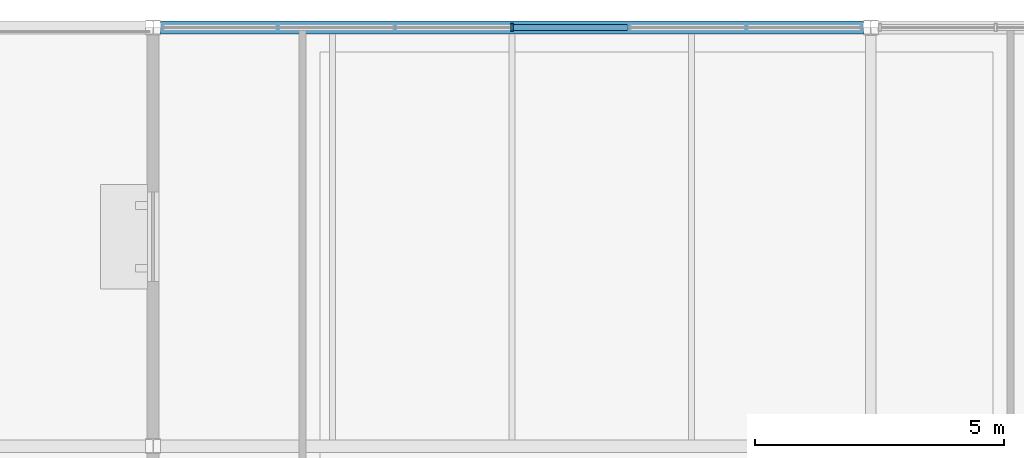
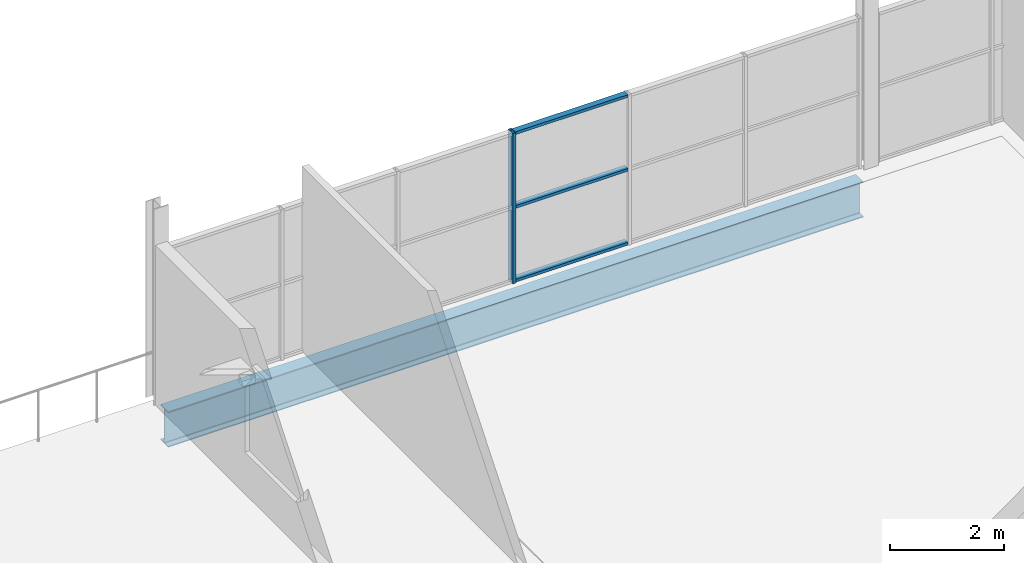
# One storey, part 32 of 68: 4 members, 1 beam, 1 element without a shape of its own.
"""IFC4 building model written with IfcOpenShell, lengths in metres."""

from ifc_helpers import new_model, si_unit, direction, frame, origin, origin_2d, place, context, subcontext, project, spatial, hollow_rectangle, i_section, extrude, material, material_profile, profile_set, type_object, element, aggregate, save


model = new_model("IFC4")

# Units and contexts
model_context = context("Model", 3, precision=1e-05, world=origin(), true_north=direction((0.0, 1.0)))
body_context = subcontext(model_context, "Body", "Model", "MODEL_VIEW")
ifc_project = project(units=[si_unit("LENGTHUNIT", "METRE"), si_unit("AREAUNIT", "SQUARE_METRE"), si_unit("VOLUMEUNIT", "CUBIC_METRE"), si_unit("PLANEANGLEUNIT", "RADIAN"), si_unit("MASSUNIT", "GRAM", prefix="KILO"), si_unit("THERMODYNAMICTEMPERATUREUNIT", "KELVIN")], contexts=[model_context])

# Site, building, storey
site_placement = place(None, origin())
site = spatial("IfcSite", under=ifc_project, at=site_placement, CompositionType="ELEMENT")
building_placement = place(site_placement, origin())
building = spatial("IfcBuilding", under=site, at=building_placement, Name="Nduvali Passage Aquatics Centre", CompositionType="ELEMENT")
storey_placement = place(building_placement, frame((0.0, 0.0, 13.199951171875)))
storey = spatial("IfcBuildingStorey", under=building, at=storey_placement, Name="L03", CompositionType="ELEMENT", Elevation=13.199951171875)

# Curtain wall, members
ifc_material_1 = material(Name="Aluminium EN AW-6063 T6", Category="aluminium")
curtain_wall_type = type_object("IfcCurtainWallType", Name="ENV-CW-WELL", PredefinedType="NOTDEFINED", material=ifc_material_1)
curtain_wall_placement = place(storey_placement, origin())
curtain_wall = element("IfcCurtainWall", 1, at=curtain_wall_placement, inside=storey, type_object=curtain_wall_type, Name="L03 North Avenue Teaching CW 102", PredefinedType="NOTDEFINED")
ifc_material_profile_1 = material_profile(ifc_material_1, hollow_rectangle(XDim=0.06005859375, YDim=0.159912109375, WallThickness=0.00390625, at=origin_2d()), Name="ALU MULLION 60x160x4")
ifc_profile_set_1 = profile_set([ifc_material_profile_1], Name="Aluminium EN AW-6063 T6")
member_type_1 = type_object("IfcMemberType", Name="ENV-MEM-MUL60", PredefinedType="MULLION", material=ifc_profile_set_1)
member_1_placement = place(storey_placement, frame((61.199951171875, 117.60009765625, 0.0), z_axis=(0.0, 0.0, 1.0), x_axis=(1.0, 0.0, 0.0)))
member_1 = element("IfcMember", 2, at=member_1_placement, type_object=member_type_1, Name="North Avenue Teaching CW Mullion 4", PredefinedType="MULLION", context=body_context, shape_type="SweptSolid", body=[
    extrude(hollow_rectangle(XDim=0.06005859375, YDim=0.159912109375, WallThickness=0.00390625, at=origin_2d()), origin(), (0.0, 0.0, 1.0), 3.223876953125),
])
ifc_material_profile_2 = material_profile(ifc_material_1, hollow_rectangle(XDim=0.1201171875, YDim=0.06005859375, WallThickness=0.00390625, at=origin_2d()), Name="ALU TRANSOM 120x60x4")
ifc_profile_set_2 = profile_set([ifc_material_profile_2], Name="Aluminium EN AW-6063 T6")
member_type_2 = type_object("IfcMemberType", Name="ENV-MEM-TRN60", PredefinedType="USERDEFINED", material=ifc_profile_set_2)
member_2_placement = place(storey_placement, frame((61.22998046875, 117.60009765625, 0.030029296875), z_axis=(1.0, 0.0, 0.0), x_axis=(0.0, 1.0, 0.0)))
member_2 = element("IfcMember", 3, at=member_2_placement, type_object=member_type_2, Name="North Avenue Teaching CW Transom B4-R0", ObjectType="TRANSOM", PredefinedType="USERDEFINED", context=body_context, shape_type="SweptSolid", body=[
    extrude(hollow_rectangle(XDim=0.1201171875, YDim=0.06005859375, WallThickness=0.00390625, at=origin_2d()), origin(), (0.0, 0.0, 1.0), 2.2900390625),
])
member_3_placement = place(storey_placement, frame((61.22998046875, 117.60009765625, 1.612060546875), z_axis=(1.0, 0.0, 0.0), x_axis=(0.0, 1.0, 0.0)))
member_3 = element("IfcMember", 4, at=member_3_placement, type_object=member_type_2, Name="North Avenue Teaching CW Transom B4-R1", ObjectType="TRANSOM", PredefinedType="USERDEFINED", context=body_context, shape_type="SweptSolid", body=[
    extrude(hollow_rectangle(XDim=0.1201171875, YDim=0.06005859375, WallThickness=0.00390625, at=origin_2d()), origin(), (0.0, 0.0, 1.0), 2.2900390625),
])
member_4_placement = place(storey_placement, frame((61.22998046875, 117.60009765625, 3.19384765625), z_axis=(1.0, 0.0, 0.0), x_axis=(0.0, 1.0, 0.0)))
member_4 = element("IfcMember", 5, at=member_4_placement, type_object=member_type_2, Name="North Avenue Teaching CW Transom B4-R2", ObjectType="TRANSOM", PredefinedType="USERDEFINED", context=body_context, shape_type="SweptSolid", body=[
    extrude(hollow_rectangle(XDim=0.1201171875, YDim=0.06005859375, WallThickness=0.00390625, at=origin_2d()), origin(), (0.0, 0.0, 1.0), 2.2900390625),
])
aggregate(curtain_wall, [member_1, member_2, member_3, member_4])

# Beam
ifc_material_2 = material(Name="Steel S355", Category="steel")
ifc_material_profile_3 = material_profile(ifc_material_2, i_section(OverallWidth=0.2666015625, OverallDepth=0.76220703125, WebThickness=0.014404296875, FlangeThickness=0.021484375, FilletRadius=0.0166015625, at=origin_2d()), Name="UKB 762x267x173")
ifc_profile_set_3 = profile_set([ifc_material_profile_3], Name="Steel S355")
beam_type = type_object("IfcBeamType", Name="STR-BM-UKB762-EXT", PredefinedType="BEAM", material=ifc_profile_set_3)
beam_placement = place(storey_placement, frame((54.14990234375, 117.60009765625, -0.635009765625), z_axis=(1.0, 0.0, 0.0), x_axis=(0.0, 1.0, 0.0)))
element("IfcBeam", 6, at=beam_placement, inside=storey, type_object=beam_type, Name="L03 Primary X-Girder B4CE-1234", PredefinedType="BEAM", context=body_context, shape_type="SweptSolid", body=[
    extrude(i_section(OverallWidth=0.2666015625, OverallDepth=0.76220703125, WebThickness=0.014404296875, FlangeThickness=0.021484375, FilletRadius=0.0166015625, at=origin_2d()), origin(), (0.0, 0.0, 1.0), 14.10009765625),
])

save(model, "model.ifc")
